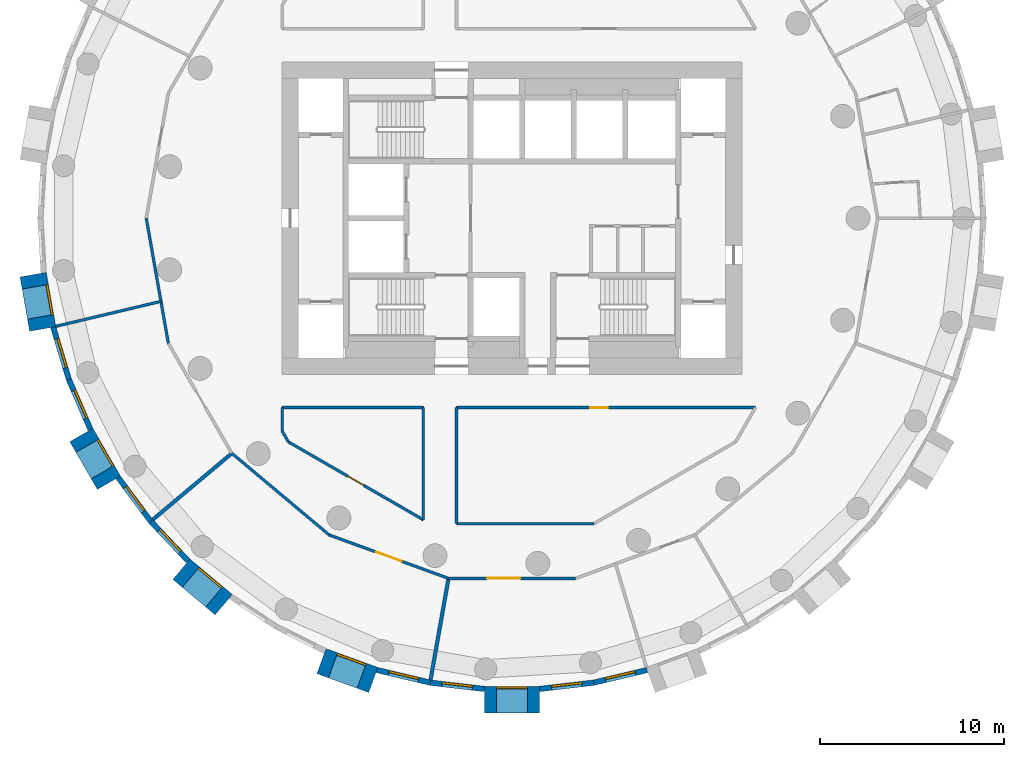
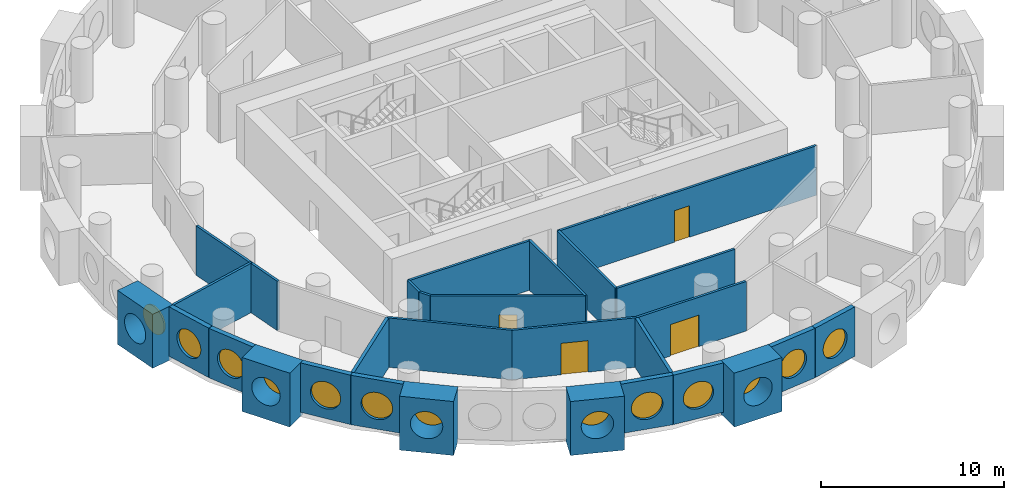
# One storey, part 2 of 9: 28 walls, 13 windows, 4 doors, 17 openings.
"""IFC4 building model written with IfcOpenShell, lengths in metres."""

import ifcopenshell
import ifcopenshell.guid

model = None  # the IFC model being written
_history = None  # IfcOwnerHistory: only IFC2X3 demands one
_inside = {}  # id of a spatial element -> (the spatial element, [elements in it])
_under = {}  # id of a project, library or spatial element -> (it, [spatial elements below it])
_declared = {}  # id of a project -> (the project, [libraries it declares])
_typed = {}  # id of a type object -> (the type object, [elements of that type])
_made_of = {}  # id of a material, layer set ... -> (it, [elements and type objects made of it])


def new_model(schema):
    """Start an empty IFC model of exactly this schema.

    Asked for "IFC4X3", IfcOpenShell would pick the latest addendum, in which some entities
    have other attributes; the version numbers below select the first issue.
    IFC2X3 requires an IfcOwnerHistory on every rooted entity: one is made here for all.
    """
    global model, _history
    if schema == "IFC4X3":
        model = ifcopenshell.file(schema_version=(4, 3, 0, 0))
    else:
        model = ifcopenshell.file(schema=schema)
    _inside.clear()
    _under.clear()
    _declared.clear()
    _typed.clear()
    _made_of.clear()
    _history = None
    if model.schema == "IFC2X3":
        org = make("IfcOrganization", Name="unknown")
        user = make(
            "IfcPersonAndOrganization",
            ThePerson=make("IfcPerson", FamilyName="unknown"),
            TheOrganization=org,
        )
        app = make(
            "IfcApplication",
            ApplicationDeveloper=org,
            Version="unknown",
            ApplicationFullName="unknown",
            ApplicationIdentifier="unknown",
        )
        _history = make(
            "IfcOwnerHistory",
            OwningUser=user,
            OwningApplication=app,
            ChangeAction="ADDED",
            CreationDate=0,
        )
    return model


def make(cls, **values):
    """One entity of the class cls with the attributes given. An attribute that is None is left unset."""
    return model.create_entity(
        cls, **{name: value for name, value in values.items() if value is not None}
    )


def rooted(cls, **values):
    """An entity with a GlobalId (a new one), such as an element, a storey or a relation."""
    return make(cls, GlobalId=ifcopenshell.guid.new(), OwnerHistory=_history, **values)


def si_unit(unit_type, name, prefix=None):
    """IfcSIUnit, for example si_unit("LENGTHUNIT", "METRE", prefix="MILLI")."""
    return make("IfcSIUnit", UnitType=unit_type, Prefix=prefix, Name=name)


def assignment(units):
    """IfcUnitAssignment: the units of a project."""
    return None if units is None else make("IfcUnitAssignment", Units=units)


def point(xyz):
    """IfcCartesianPoint."""
    return None if xyz is None else make("IfcCartesianPoint", Coordinates=xyz)


def direction(xyz):
    """IfcDirection."""
    return None if xyz is None else make("IfcDirection", DirectionRatios=xyz)


def frame(location, z_axis=None, x_axis=None):
    """IfcAxis2Placement3D, a coordinate frame: its origin and axes. An axis left out is left unset."""
    return make(
        "IfcAxis2Placement3D",
        Location=point(location),
        Axis=direction(z_axis),
        RefDirection=direction(x_axis),
    )


def frame_2d(location, x_axis=None):
    """IfcAxis2Placement2D, a coordinate frame in the plane: its origin and x axis."""
    return make(
        "IfcAxis2Placement2D", Location=point(location), RefDirection=direction(x_axis)
    )


def origin():
    """The frame at (0, 0, 0) with its axes left unset."""
    return frame((0.0, 0.0, 0.0))


def origin_2d():
    """The frame at (0, 0) in the plane with its x axis left unset."""
    return frame_2d((0.0, 0.0))


def place(relative_to, where):
    """IfcLocalPlacement: puts the frame where relative to a parent placement (None: the world)."""
    return make(
        "IfcLocalPlacement", PlacementRelTo=relative_to, RelativePlacement=where
    )


def context(
    kind, dimensions, precision=None, world=None, true_north=None, identifier=None
):
    """IfcGeometricRepresentationContext, for example the 3D "Model" context."""
    return make(
        "IfcGeometricRepresentationContext",
        ContextIdentifier=identifier,
        ContextType=kind,
        CoordinateSpaceDimension=dimensions,
        Precision=precision,
        WorldCoordinateSystem=world,
        TrueNorth=true_north,
    )


def subcontext(parent, identifier, kind, view, scale=None):
    """IfcGeometricRepresentationSubContext, for example "Body" below "Model"."""
    return make(
        "IfcGeometricRepresentationSubContext",
        ContextIdentifier=identifier,
        ContextType=kind,
        ParentContext=parent,
        TargetScale=scale,
        TargetView=view,
    )


def project(units=None, contexts=None):
    """IfcProject with its units and contexts."""
    return rooted(
        "IfcProject",
        Name="project",
        RepresentationContexts=contexts,
        UnitsInContext=assignment(units),
    )


def spatial(cls, under=None, at=None, **own):
    """A site, building, storey or space (cls), placed at a placement, below another one or the project."""
    s = rooted(cls, ObjectPlacement=at, **own)
    if under is not None:
        _under.setdefault(under.id(), (under, []))[1].append(s)
    return s


def profile(cls, at=None, kind="AREA", **sizes):
    """A parametric profile (cls). Its sizes go by their IFC names, for example OverallWidth=200.0."""
    return make(cls, ProfileType=kind, Position=at, **sizes)


def rectangle(**sizes):
    """IfcRectangleProfileDef."""
    return profile("IfcRectangleProfileDef", **sizes)


def circle(**sizes):
    """IfcCircleProfileDef."""
    return profile("IfcCircleProfileDef", **sizes)


def extrude(swept, where, along, depth):
    """IfcExtrudedAreaSolid: the profile swept, set in the frame where, extruded along a direction by depth."""
    return make(
        "IfcExtrudedAreaSolid",
        SweptArea=swept,
        Position=where,
        ExtrudedDirection=direction(along),
        Depth=depth,
    )


def shape(context_of_items, identifier, shape_type, items):
    """IfcShapeRepresentation: the items that make up one representation, for example the "Body"."""
    return make(
        "IfcShapeRepresentation",
        ContextOfItems=context_of_items,
        RepresentationIdentifier=identifier,
        RepresentationType=shape_type,
        Items=items,
    )


def material(Name=None, Category=None):
    """IfcMaterial."""
    return make("IfcMaterial", Name=Name, Category=Category)


def layer(
    of_material, thickness, ventilated=None, Name=None, Category=None, Priority=None
):
    """IfcMaterialLayer: one layer of a wall or slab, of a material (None: an air gap)."""
    return make(
        "IfcMaterialLayer",
        Material=of_material,
        LayerThickness=thickness,
        IsVentilated=ventilated,
        Name=Name,
        Category=Category,
        Priority=Priority,
    )


def layer_set(layers, Name=None):
    """IfcMaterialLayerSet."""
    return make("IfcMaterialLayerSet", MaterialLayers=layers, LayerSetName=Name)


def made_of(thing, what):
    """Note that an element or type object is made of a material, layer set ...; save() writes the relation."""
    if what is not None:
        _made_of.setdefault(what.id(), (what, []))[1].append(thing)
    return thing


def type_object(cls, material=None, **own):
    """A type object (cls), such as IfcWallType, which elements share."""
    return made_of(rooted(cls, **own), material)


def element(
    cls,
    number,
    at=None,
    inside=None,
    cuts=None,
    type_object=None,
    material=None,
    context=None,
    identifier="Body",
    shape_type=None,
    held_by="IfcProductDefinitionShape",
    body=None,
    shapes=None,
    **own,
):
    """One element of the class cls, such as IfcWall. Its Tag is "e" and its number.

    at: its placement. inside: the storey or other place that contains it. cuts: it is an
    opening in that element (IfcRelVoidsElement). A single representation is given by context,
    identifier, shape_type and body (its items); several are given by shapes. held_by: the class
    of the entity that holds the representations. save() writes the other relations.
    """
    e = rooted(cls, Tag="e%d" % number, ObjectPlacement=at, **own)
    if body is not None:
        shapes = [shape(context, identifier, shape_type, body)]
    if shapes is not None:
        e.Representation = make(held_by, Representations=shapes)
    if inside is not None:
        _inside.setdefault(inside.id(), (inside, []))[1].append(e)
    if cuts is not None:
        rooted(
            "IfcRelVoidsElement", RelatingBuildingElement=cuts, RelatedOpeningElement=e
        )
    if type_object is not None:
        _typed.setdefault(type_object.id(), (type_object, []))[1].append(e)
    return made_of(e, material)


def fill(opening, filler):
    """IfcRelFillsElement: the door or window that sits in an opening."""
    return rooted(
        "IfcRelFillsElement",
        RelatingOpeningElement=opening,
        RelatedBuildingElement=filler,
    )


def aggregate(whole, parts):
    """IfcRelAggregates: a whole, such as a stair, and the parts it consists of."""
    return rooted("IfcRelAggregates", RelatingObject=whole, RelatedObjects=parts)


def save(model, path):
    """Write the relations noted so far, then the file.

    IfcRelAggregates (storeys below a building ...), IfcRelContainedInSpatialStructure (elements
    in a storey), IfcRelDefinesByType, IfcRelAssociatesMaterial and IfcRelDeclares: one each for
    every whole, place, type object, material and project.
    """
    for whole, parts in _under.values():
        aggregate(whole, parts)
    for where, things in _inside.values():
        rooted(
            "IfcRelContainedInSpatialStructure",
            RelatedElements=things,
            RelatingStructure=where,
        )
    for kind, things in _typed.values():
        rooted("IfcRelDefinesByType", RelatedObjects=things, RelatingType=kind)
    for what, things in _made_of.values():
        rooted("IfcRelAssociatesMaterial", RelatedObjects=things, RelatingMaterial=what)
    for by, libraries in _declared.values():
        rooted("IfcRelDeclares", RelatingContext=by, RelatedDefinitions=libraries)
    model.write(path)


model = new_model("IFC4")

# Units and contexts
model_context = context("Model", 3, precision=1e-05, world=origin(), true_north=direction((0.0, 1.0)))
body_context = subcontext(model_context, "Body", "Model", "MODEL_VIEW")
ifc_project = project(units=[si_unit("LENGTHUNIT", "METRE"), si_unit("AREAUNIT", "SQUARE_METRE"), si_unit("VOLUMEUNIT", "CUBIC_METRE"), si_unit("PLANEANGLEUNIT", "RADIAN"), si_unit("MASSUNIT", "GRAM", prefix="KILO")], contexts=[model_context])

# Site, building, storey
site_placement = place(None, origin())
site = spatial("IfcSite", under=ifc_project, at=site_placement, CompositionType="ELEMENT")
building_placement = place(site_placement, origin())
building = spatial("IfcBuilding", under=site, at=building_placement, Name="Tracery Tower", CompositionType="ELEMENT")
storey_placement = place(building_placement, frame((0.0, 0.0, 165.60009765625)))
storey = spatial("IfcBuildingStorey", under=building, at=storey_placement, Name="L42", CompositionType="ELEMENT", Elevation=165.60009765625)

# Wall, opening, window
ifc_material_1 = material(Name="Precast concrete C50/60", Category="concrete")
ifc_layer_1 = layer(ifc_material_1, 1.449951171875)
ifc_layer_set_1 = layer_set([ifc_layer_1], Name="Deep-set bay unit 3000 x 3600, slab edge 300")
wall_type_1 = type_object("IfcWallType", Name="Deep-set bay unit 3000 x 3600, slab edge 300", PredefinedType="ELEMENTEDWALL", material=ifc_layer_set_1)
wall_1_placement = place(storey_placement, frame((-26.041748046875, -3.06884765625, -0.300048828125), z_axis=(0.0, 0.0, 1.0), x_axis=(0.173669267716, -0.984804034035, 0.0)))
wall_1 = element("IfcWall", 1, at=wall_1_placement, inside=storey, type_object=wall_type_1, Name="Deep-set bay unit 29 at L42", PredefinedType="ELEMENTEDWALL", context=body_context, shape_type="SweptSolid", body=[
    extrude(rectangle(XDim=3.0, YDim=1.449951171875, at=frame_2d((1.5, 0.0))), origin(), (0.0, 0.0, 1.0), 3.599853515625),
])
opening_1_placement = place(wall_1_placement, frame((1.5, 0.0, 1.85009765625)))
opening_1 = element("IfcOpeningElement", 2, at=opening_1_placement, cuts=wall_1, Name="Opening WN1", PredefinedType="OPENING", context=body_context, shape_type="SweptSolid", body=[
    extrude(circle(Radius=0.9000244140625, at=origin_2d()), frame((0.0, 0.73486328125, 0.0), z_axis=(0.0, -1.0, 0.0), x_axis=(1.0, 0.0, 0.0)), (0.0, 0.0, 1.0), 1.469970703125),
])
ifc_material_2 = material(Name="Aluminium frame with tinted double glazing", Category="aluminium")
window_type = type_object("IfcWindowType", Name="Round window 1800", PartitioningType="SINGLE_PANEL", PredefinedType="WINDOW", material=ifc_material_2)
window_1_placement = place(opening_1_placement, origin())
window_1 = element("IfcWindow", 3, at=window_1_placement, inside=storey, type_object=window_type, Name="Round window 29 at L42", OverallHeight=1.800048828125, OverallWidth=1.800048828125, PartitioningType="SINGLE_PANEL", PredefinedType="WINDOW", context=body_context, shape_type="SweptSolid", body=[
    extrude(circle(Radius=0.9000244140625, at=origin_2d()), frame((0.0, 0.69482421875, 0.0), z_axis=(0.0, -1.0, 0.0), x_axis=(1.0, 0.0, 0.0)), (0.0, 0.0, 1.0), 0.10009765625),
])
fill(opening_1, window_1)

wall_2_placement = place(storey_placement, frame((-23.421630859375, -11.79052734375, -0.300048828125), z_axis=(0.0, 0.0, 1.0), x_axis=(0.499990139034, -0.866031096941, 0.0)))
wall_2 = element("IfcWall", 4, at=wall_2_placement, inside=storey, type_object=wall_type_1, Name="Deep-set bay unit 32 at L42", PredefinedType="ELEMENTEDWALL", context=body_context, shape_type="SweptSolid", body=[
    extrude(rectangle(XDim=3.0, YDim=1.449951171875, at=frame_2d((1.5, 0.0))), origin(), (0.0, 0.0, 1.0), 3.599853515625),
])
opening_2_placement = place(wall_2_placement, frame((1.5, 0.0, 1.85009765625)))
opening_2 = element("IfcOpeningElement", 5, at=opening_2_placement, cuts=wall_2, Name="Opening WN1", PredefinedType="OPENING", context=body_context, shape_type="SweptSolid", body=[
    extrude(circle(Radius=0.9000244140625, at=origin_2d()), frame((0.0, 0.73486328125, 0.0), z_axis=(0.0, -1.0, 0.0), x_axis=(1.0, 0.0, 0.0)), (0.0, 0.0, 1.0), 1.469970703125),
])
window_2_placement = place(opening_2_placement, origin())
window_2 = element("IfcWindow", 6, at=window_2_placement, inside=storey, type_object=window_type, Name="Round window 32 at L42", OverallHeight=1.800048828125, OverallWidth=1.800048828125, PartitioningType="SINGLE_PANEL", PredefinedType="WINDOW", context=body_context, shape_type="SweptSolid", body=[
    extrude(circle(Radius=0.9000244140625, at=origin_2d()), frame((0.0, 0.69482421875, 0.0), z_axis=(0.0, -1.0, 0.0), x_axis=(1.0, 0.0, 0.0)), (0.0, 0.0, 1.0), 0.10009765625),
])
fill(opening_2, window_2)

wall_3_placement = place(storey_placement, frame((-17.9765625, -19.090087890625, -0.300048828125), z_axis=(0.0, 0.0, 1.0), x_axis=(0.766022196139, -0.642814121673, 0.0)))
wall_3 = element("IfcWall", 7, at=wall_3_placement, inside=storey, type_object=wall_type_1, Name="Deep-set bay unit 35 at L42", PredefinedType="ELEMENTEDWALL", context=body_context, shape_type="SweptSolid", body=[
    extrude(rectangle(XDim=3.0, YDim=1.449951171875, at=frame_2d((1.5, 0.0))), origin(), (0.0, 0.0, 1.0), 3.599853515625),
])
opening_3_placement = place(wall_3_placement, frame((1.5, 0.0, 1.85009765625)))
opening_3 = element("IfcOpeningElement", 8, at=opening_3_placement, cuts=wall_3, Name="Opening WN1", PredefinedType="OPENING", context=body_context, shape_type="SweptSolid", body=[
    extrude(circle(Radius=0.9000244140625, at=origin_2d()), frame((0.0, 0.73486328125, 0.0), z_axis=(0.0, -1.0, 0.0), x_axis=(1.0, 0.0, 0.0)), (0.0, 0.0, 1.0), 1.469970703125),
])
window_3_placement = place(opening_3_placement, origin())
window_3 = element("IfcWindow", 9, at=window_3_placement, inside=storey, type_object=window_type, Name="Round window 35 at L42", OverallHeight=1.800048828125, OverallWidth=1.800048828125, PartitioningType="SINGLE_PANEL", PredefinedType="WINDOW", context=body_context, shape_type="SweptSolid", body=[
    extrude(circle(Radius=0.9000244140625, at=origin_2d()), frame((0.0, 0.69482421875, 0.0), z_axis=(0.0, -1.0, 0.0), x_axis=(1.0, 0.0, 0.0)), (0.0, 0.0, 1.0), 0.10009765625),
])
fill(opening_3, window_3)

wall_4_placement = place(storey_placement, frame((-10.36328125, -24.087158203125, -0.300048828125), z_axis=(0.0, 0.0, 1.0), x_axis=(0.939686455819, -0.342037080957, 0.0)))
wall_4 = element("IfcWall", 10, at=wall_4_placement, inside=storey, type_object=wall_type_1, Name="Deep-set bay unit 38 at L42", PredefinedType="ELEMENTEDWALL", context=body_context, shape_type="SweptSolid", body=[
    extrude(rectangle(XDim=3.0, YDim=1.449951171875, at=frame_2d((1.5, 0.0))), origin(), (0.0, 0.0, 1.0), 3.599853515625),
])
opening_4_placement = place(wall_4_placement, frame((1.5, 0.0, 1.85009765625)))
opening_4 = element("IfcOpeningElement", 11, at=opening_4_placement, cuts=wall_4, Name="Opening WN1", PredefinedType="OPENING", context=body_context, shape_type="SweptSolid", body=[
    extrude(circle(Radius=0.9000244140625, at=origin_2d()), frame((0.0, 0.73486328125, 0.0), z_axis=(0.0, -1.0, 0.0), x_axis=(1.0, 0.0, 0.0)), (0.0, 0.0, 1.0), 1.469970703125),
])
window_4_placement = place(opening_4_placement, origin())
window_4 = element("IfcWindow", 12, at=window_4_placement, inside=storey, type_object=window_type, Name="Round window 38 at L42", OverallHeight=1.800048828125, OverallWidth=1.800048828125, PartitioningType="SINGLE_PANEL", PredefinedType="WINDOW", context=body_context, shape_type="SweptSolid", body=[
    extrude(circle(Radius=0.9000244140625, at=origin_2d()), frame((0.0, 0.69482421875, 0.0), z_axis=(0.0, -1.0, 0.0), x_axis=(1.0, 0.0, 0.0)), (0.0, 0.0, 1.0), 0.10009765625),
])
fill(opening_4, window_4)

wall_5_placement = place(storey_placement, frame((-1.5, -26.178955078125, -0.300048828125), z_axis=(0.0, 0.0, 1.0), x_axis=(1.0, 0.0, 0.0)))
wall_5 = element("IfcWall", 13, at=wall_5_placement, inside=storey, type_object=wall_type_1, Name="Deep-set bay unit 41 at L42", PredefinedType="ELEMENTEDWALL", context=body_context, shape_type="SweptSolid", body=[
    extrude(rectangle(XDim=3.0, YDim=1.449951171875, at=frame_2d((1.5, 0.0))), origin(), (0.0, 0.0, 1.0), 3.599853515625),
])
opening_5_placement = place(wall_5_placement, frame((1.5, 0.0, 1.85009765625)))
opening_5 = element("IfcOpeningElement", 14, at=opening_5_placement, cuts=wall_5, Name="Opening WN1", PredefinedType="OPENING", context=body_context, shape_type="SweptSolid", body=[
    extrude(circle(Radius=0.9000244140625, at=origin_2d()), frame((0.0, 0.73486328125, 0.0), z_axis=(0.0, -1.0, 0.0), x_axis=(1.0, 0.0, 0.0)), (0.0, 0.0, 1.0), 1.469970703125),
])
window_5_placement = place(opening_5_placement, origin())
window_5 = element("IfcWindow", 15, at=window_5_placement, inside=storey, type_object=window_type, Name="Round window 41 at L42", OverallHeight=1.800048828125, OverallWidth=1.800048828125, PartitioningType="SINGLE_PANEL", PredefinedType="WINDOW", context=body_context, shape_type="SweptSolid", body=[
    extrude(circle(Radius=0.9000244140625, at=origin_2d()), frame((0.0, 0.69482421875, 0.0), z_axis=(0.0, -1.0, 0.0), x_axis=(1.0, 0.0, 0.0)), (0.0, 0.0, 1.0), 0.10009765625),
])
fill(opening_5, window_5)

ifc_material_3 = material(Name="Precast concrete C50/60", Category="concrete")
ifc_layer_2 = layer(ifc_material_3, 0.300048828125)
ifc_layer_set_2 = layer_set([ifc_layer_2], Name="Facade panel 3000 x 3300")
wall_type_2 = type_object("IfcWallType", Name="Facade panel 3000 x 3300", PredefinedType="SOLIDWALL", material=ifc_layer_set_2)
wall_6_placement = place(storey_placement, frame((-24.953369140625, -5.924072265625, 0.0), z_axis=(0.0, 0.0, 1.0), x_axis=(0.286782750849, -0.957995643944, 0.0)))
wall_6 = element("IfcWall", 16, at=wall_6_placement, inside=storey, type_object=wall_type_2, Name="Facade panel 30 at L42", PredefinedType="SOLIDWALL", context=body_context, shape_type="SweptSolid", body=[
    extrude(rectangle(XDim=2.97265625, YDim=0.300048828125, at=frame_2d((1.486328125, 0.0))), origin(), (0.0, 0.0, 1.0), 3.2998046875),
])
opening_6_placement = place(wall_6_placement, frame((1.486328125, 0.0, 1.5498046875)))
opening_6 = element("IfcOpeningElement", 17, at=opening_6_placement, cuts=wall_6, Name="Opening WN1", PredefinedType="OPENING", context=body_context, shape_type="SweptSolid", body=[
    extrude(circle(Radius=0.9000244140625, at=origin_2d()), frame((0.0, 0.159912109375, 0.0), z_axis=(0.0, -1.0, 0.0), x_axis=(1.0, 0.0, 0.0)), (0.0, 0.0, 1.0), 0.320068359375),
])
window_6_placement = place(opening_6_placement, origin())
window_6 = element("IfcWindow", 18, at=window_6_placement, inside=storey, type_object=window_type, Name="Round window 30 at L42", OverallHeight=1.800048828125, OverallWidth=1.800048828125, PartitioningType="SINGLE_PANEL", PredefinedType="WINDOW", context=body_context, shape_type="SweptSolid", body=[
    extrude(circle(Radius=0.9000244140625, at=origin_2d()), frame((0.0, 0.1201171875, 0.0), z_axis=(0.0, -1.0, 0.0), x_axis=(1.0, 0.0, 0.0)), (0.0, 0.0, 1.0), 0.10009765625),
])
fill(opening_6, window_6)

wall_7_placement = place(storey_placement, frame((-24.100830078125, -8.77197265625, 0.0), z_axis=(0.0, 0.0, 1.0), x_axis=(0.396148129016, -0.918186614952, 0.0)))
wall_7 = element("IfcWall", 19, at=wall_7_placement, inside=storey, type_object=wall_type_2, Name="Facade panel 31 at L42", PredefinedType="SOLIDWALL", context=body_context, shape_type="SweptSolid", body=[
    extrude(rectangle(XDim=2.972900390625, YDim=0.300048828125, at=frame_2d((1.486328125, 0.0))), origin(), (0.0, 0.0, 1.0), 3.2998046875),
])
opening_7_placement = place(wall_7_placement, frame((1.486328125, 0.0, 1.5498046875)))
opening_7 = element("IfcOpeningElement", 20, at=opening_7_placement, cuts=wall_7, Name="Opening WN1", PredefinedType="OPENING", context=body_context, shape_type="SweptSolid", body=[
    extrude(circle(Radius=0.9000244140625, at=origin_2d()), frame((0.0, 0.159912109375, 0.0), z_axis=(0.0, -1.0, 0.0), x_axis=(1.0, 0.0, 0.0)), (0.0, 0.0, 1.0), 0.320068359375),
])
window_7_placement = place(opening_7_placement, origin())
window_7 = element("IfcWindow", 21, at=window_7_placement, inside=storey, type_object=window_type, Name="Round window 31 at L42", OverallHeight=1.800048828125, OverallWidth=1.800048828125, PartitioningType="SINGLE_PANEL", PredefinedType="WINDOW", context=body_context, shape_type="SweptSolid", body=[
    extrude(circle(Radius=0.9000244140625, at=origin_2d()), frame((0.0, 0.1201171875, 0.0), z_axis=(0.0, -1.0, 0.0), x_axis=(1.0, 0.0, 0.0)), (0.0, 0.0, 1.0), 0.10009765625),
])
fill(opening_7, window_7)

wall_8_placement = place(storey_placement, frame((-21.42236328125, -14.101318359375, 0.0), z_axis=(0.0, 0.0, 1.0), x_axis=(0.597197580538, -0.80209416517, 0.0)))
wall_8 = element("IfcWall", 22, at=wall_8_placement, inside=storey, type_object=wall_type_2, Name="Facade panel 33 at L42", PredefinedType="SOLIDWALL", context=body_context, shape_type="SweptSolid", body=[
    extrude(rectangle(XDim=2.972900390625, YDim=0.300048828125, at=frame_2d((1.486328125, 0.0))), origin(), (0.0, 0.0, 1.0), 3.2998046875),
])
opening_8_placement = place(wall_8_placement, frame((1.486328125, 0.0, 1.5498046875)))
opening_8 = element("IfcOpeningElement", 23, at=opening_8_placement, cuts=wall_8, Name="Opening WN1", PredefinedType="OPENING", context=body_context, shape_type="SweptSolid", body=[
    extrude(circle(Radius=0.9000244140625, at=origin_2d()), frame((0.0, 0.159912109375, 0.0), z_axis=(0.0, -1.0, 0.0), x_axis=(1.0, 0.0, 0.0)), (0.0, 0.0, 1.0), 0.320068359375),
])
window_8_placement = place(opening_8_placement, origin())
window_8 = element("IfcWindow", 24, at=window_8_placement, inside=storey, type_object=window_type, Name="Round window 33 at L42", OverallHeight=1.800048828125, OverallWidth=1.800048828125, PartitioningType="SINGLE_PANEL", PredefinedType="WINDOW", context=body_context, shape_type="SweptSolid", body=[
    extrude(circle(Radius=0.9000244140625, at=origin_2d()), frame((0.0, 0.1201171875, 0.0), z_axis=(0.0, -1.0, 0.0), x_axis=(1.0, 0.0, 0.0)), (0.0, 0.0, 1.0), 0.10009765625),
])
fill(opening_8, window_8)

wall_9_placement = place(storey_placement, frame((-19.64697265625, -16.48583984375, 0.0), z_axis=(0.0, 0.0, 1.0), x_axis=(0.686235184166, -0.727379730273, 0.0)))
wall_9 = element("IfcWall", 25, at=wall_9_placement, inside=storey, type_object=wall_type_2, Name="Facade panel 34 at L42", PredefinedType="SOLIDWALL", context=body_context, shape_type="SweptSolid", body=[
    extrude(rectangle(XDim=2.972900390625, YDim=0.300048828125, at=frame_2d((1.486328125, 0.0))), origin(), (0.0, 0.0, 1.0), 3.2998046875),
])
opening_9_placement = place(wall_9_placement, frame((1.486328125, 0.0, 1.5498046875)))
opening_9 = element("IfcOpeningElement", 26, at=opening_9_placement, cuts=wall_9, Name="Opening WN1", PredefinedType="OPENING", context=body_context, shape_type="SweptSolid", body=[
    extrude(circle(Radius=0.9000244140625, at=origin_2d()), frame((0.0, 0.159912109375, 0.0), z_axis=(0.0, -1.0, 0.0), x_axis=(1.0, 0.0, 0.0)), (0.0, 0.0, 1.0), 0.320068359375),
])
window_9_placement = place(opening_9_placement, origin())
window_9 = element("IfcWindow", 27, at=window_9_placement, inside=storey, type_object=window_type, Name="Round window 34 at L42", OverallHeight=1.800048828125, OverallWidth=1.800048828125, PartitioningType="SINGLE_PANEL", PredefinedType="WINDOW", context=body_context, shape_type="SweptSolid", body=[
    extrude(circle(Radius=0.9000244140625, at=origin_2d()), frame((0.0, 0.1201171875, 0.0), z_axis=(0.0, -1.0, 0.0), x_axis=(1.0, 0.0, 0.0)), (0.0, 0.0, 1.0), 0.10009765625),
])
fill(opening_9, window_9)

wall_10_placement = place(storey_placement, frame((-7.346435546875, -24.572265625, 0.0), z_axis=(0.0, 0.0, 1.0), x_axis=(0.973049746156, -0.230595298102, 0.0)))
wall_10 = element("IfcWall", 28, at=wall_10_placement, inside=storey, type_object=wall_type_2, Name="Facade panel 39 at L42", PredefinedType="SOLIDWALL", context=body_context, shape_type="SweptSolid", body=[
    extrude(rectangle(XDim=2.972900390625, YDim=0.300048828125, at=frame_2d((1.486328125, 0.0))), origin(), (0.0, 0.0, 1.0), 3.2998046875),
])
opening_10_placement = place(wall_10_placement, frame((1.486328125, 0.0, 1.5498046875)))
opening_10 = element("IfcOpeningElement", 29, at=opening_10_placement, cuts=wall_10, Name="Opening WN1", PredefinedType="OPENING", context=body_context, shape_type="SweptSolid", body=[
    extrude(circle(Radius=0.9000244140625, at=origin_2d()), frame((0.0, 0.159912109375, 0.0), z_axis=(0.0, -1.0, 0.0), x_axis=(1.0, 0.0, 0.0)), (0.0, 0.0, 1.0), 0.320068359375),
])
window_10_placement = place(opening_10_placement, origin())
window_10 = element("IfcWindow", 30, at=window_10_placement, inside=storey, type_object=window_type, Name="Round window 39 at L42", OverallHeight=1.800048828125, OverallWidth=1.800048828125, PartitioningType="SINGLE_PANEL", PredefinedType="WINDOW", context=body_context, shape_type="SweptSolid", body=[
    extrude(circle(Radius=0.9000244140625, at=origin_2d()), frame((0.0, 0.1201171875, 0.0), z_axis=(0.0, -1.0, 0.0), x_axis=(1.0, 0.0, 0.0)), (0.0, 0.0, 1.0), 0.10009765625),
])
fill(opening_10, window_10)

wall_11_placement = place(storey_placement, frame((-4.45361328125, -25.2578125, 0.0), z_axis=(0.0, 0.0, 1.0), x_axis=(0.993235542767, -0.116116995244, 0.0)))
wall_11 = element("IfcWall", 31, at=wall_11_placement, inside=storey, type_object=wall_type_2, Name="Facade panel 40 at L42", PredefinedType="SOLIDWALL", context=body_context, shape_type="SweptSolid", body=[
    extrude(rectangle(XDim=2.972900390625, YDim=0.300048828125, at=frame_2d((1.486328125, 0.0))), origin(), (0.0, 0.0, 1.0), 3.2998046875),
])
opening_11_placement = place(wall_11_placement, frame((1.486328125, 0.0, 1.5498046875)))
opening_11 = element("IfcOpeningElement", 32, at=opening_11_placement, cuts=wall_11, Name="Opening WN1", PredefinedType="OPENING", context=body_context, shape_type="SweptSolid", body=[
    extrude(circle(Radius=0.9000244140625, at=origin_2d()), frame((0.0, 0.159912109375, 0.0), z_axis=(0.0, -1.0, 0.0), x_axis=(1.0, 0.0, 0.0)), (0.0, 0.0, 1.0), 0.320068359375),
])
window_11_placement = place(opening_11_placement, origin())
window_11 = element("IfcWindow", 33, at=window_11_placement, inside=storey, type_object=window_type, Name="Round window 40 at L42", OverallHeight=1.800048828125, OverallWidth=1.800048828125, PartitioningType="SINGLE_PANEL", PredefinedType="WINDOW", context=body_context, shape_type="SweptSolid", body=[
    extrude(circle(Radius=0.9000244140625, at=origin_2d()), frame((0.0, 0.1201171875, 0.0), z_axis=(0.0, -1.0, 0.0), x_axis=(1.0, 0.0, 0.0)), (0.0, 0.0, 1.0), 0.10009765625),
])
fill(opening_11, window_11)

wall_12_placement = place(storey_placement, frame((1.500732421875, -25.60302734375, 0.0), z_axis=(0.0, 0.0, 1.0), x_axis=(0.993235542767, 0.116116995244, 0.0)))
wall_12 = element("IfcWall", 34, at=wall_12_placement, inside=storey, type_object=wall_type_2, Name="Facade panel 42 at L42", PredefinedType="SOLIDWALL", context=body_context, shape_type="SweptSolid", body=[
    extrude(rectangle(XDim=2.972900390625, YDim=0.300048828125, at=frame_2d((1.486328125, 0.0))), origin(), (0.0, 0.0, 1.0), 3.2998046875),
])
opening_12_placement = place(wall_12_placement, frame((1.486328125, 0.0, 1.5498046875)))
opening_12 = element("IfcOpeningElement", 35, at=opening_12_placement, cuts=wall_12, Name="Opening WN1", PredefinedType="OPENING", context=body_context, shape_type="SweptSolid", body=[
    extrude(circle(Radius=0.9000244140625, at=origin_2d()), frame((0.0, 0.159912109375, 0.0), z_axis=(0.0, -1.0, 0.0), x_axis=(1.0, 0.0, 0.0)), (0.0, 0.0, 1.0), 0.320068359375),
])
window_12_placement = place(opening_12_placement, origin())
window_12 = element("IfcWindow", 36, at=window_12_placement, inside=storey, type_object=window_type, Name="Round window 42 at L42", OverallHeight=1.800048828125, OverallWidth=1.800048828125, PartitioningType="SINGLE_PANEL", PredefinedType="WINDOW", context=body_context, shape_type="SweptSolid", body=[
    extrude(circle(Radius=0.9000244140625, at=origin_2d()), frame((0.0, 0.1201171875, 0.0), z_axis=(0.0, -1.0, 0.0), x_axis=(1.0, 0.0, 0.0)), (0.0, 0.0, 1.0), 0.10009765625),
])
fill(opening_12, window_12)

wall_13_placement = place(storey_placement, frame((4.45361328125, -25.2578125, 0.0), z_axis=(0.0, 0.0, 1.0), x_axis=(0.973049746156, 0.230595298102, 0.0)))
wall_13 = element("IfcWall", 37, at=wall_13_placement, inside=storey, type_object=wall_type_2, Name="Facade panel 43 at L42", PredefinedType="SOLIDWALL", context=body_context, shape_type="SweptSolid", body=[
    extrude(rectangle(XDim=2.972900390625, YDim=0.300048828125, at=frame_2d((1.486328125, 0.0))), origin(), (0.0, 0.0, 1.0), 3.2998046875),
])
opening_13_placement = place(wall_13_placement, frame((1.486328125, 0.0, 1.5498046875)))
opening_13 = element("IfcOpeningElement", 38, at=opening_13_placement, cuts=wall_13, Name="Opening WN1", PredefinedType="OPENING", context=body_context, shape_type="SweptSolid", body=[
    extrude(circle(Radius=0.9000244140625, at=origin_2d()), frame((0.0, 0.159912109375, 0.0), z_axis=(0.0, -1.0, 0.0), x_axis=(1.0, 0.0, 0.0)), (0.0, 0.0, 1.0), 0.320068359375),
])
window_13_placement = place(opening_13_placement, origin())
window_13 = element("IfcWindow", 39, at=window_13_placement, inside=storey, type_object=window_type, Name="Round window 43 at L42", OverallHeight=1.800048828125, OverallWidth=1.800048828125, PartitioningType="SINGLE_PANEL", PredefinedType="WINDOW", context=body_context, shape_type="SweptSolid", body=[
    extrude(circle(Radius=0.9000244140625, at=origin_2d()), frame((0.0, 0.1201171875, 0.0), z_axis=(0.0, -1.0, 0.0), x_axis=(1.0, 0.0, 0.0)), (0.0, 0.0, 1.0), 0.10009765625),
])
fill(opening_13, window_13)

# Walls
ifc_material_4 = material(Name="Plasterboard on steel studs", Category="steel")
ifc_layer_3 = layer(ifc_material_4, 0.14990234375)
ifc_layer_set_3 = layer_set([ifc_layer_3], Name="Partition 150 acoustic unit wall")
wall_type_3 = type_object("IfcWallType", Name="Partition 150 acoustic unit wall", PredefinedType="PARTITIONING", material=ifc_layer_set_3)
wall_14_placement = place(storey_placement, frame((-24.81005859375, -5.8798828125, 0.0), z_axis=(0.0, 0.0, 1.0), x_axis=(0.973033452951, 0.230664040193, 0.0)))
element("IfcWall", 40, at=wall_14_placement, inside=storey, type_object=wall_type_3, Name="Unit wall RB4-070", PredefinedType="PARTITIONING", context=body_context, shape_type="SweptSolid", body=[
    extrude(rectangle(XDim=5.87841796875, YDim=0.14990234375, at=frame_2d((2.939208984375, 0.0))), origin(), (0.0, 0.0, 1.0), 3.2998046875),
])
ifc_material_5 = material(Name="Plasterboard on steel studs", Category="steel")
ifc_layer_4 = layer(ifc_material_5, 0.14990234375)
ifc_layer_set_4 = layer_set([ifc_layer_4], Name="Partition 150 corridor wall")
wall_type_4 = type_object("IfcWallType", Name="Partition 150 corridor wall", PredefinedType="PARTITIONING", material=ifc_layer_set_4)
wall_15_placement = place(storey_placement, frame((-12.50390625, -10.300048828125, 0.0), z_axis=(0.0, 0.0, 1.0), x_axis=(1.0, 0.0, 0.0)))
element("IfcWall", 41, at=wall_15_placement, inside=storey, type_object=wall_type_4, Name="Corridor wall RB4-003", PredefinedType="PARTITIONING", context=body_context, shape_type="SweptSolid", body=[
    extrude(rectangle(XDim=7.68701171875, YDim=0.14990234375, at=frame_2d((3.843505859375, 0.0))), origin(), (0.0, 0.0, 1.0), 3.2998046875),
])

# Wall, opening, door
wall_16_placement = place(storey_placement, frame((-3.02490234375, -10.300048828125, 0.0), z_axis=(0.0, 0.0, 1.0), x_axis=(1.0, 0.0, 0.0)))
wall_16 = element("IfcWall", 42, at=wall_16_placement, inside=storey, type_object=wall_type_4, Name="Corridor wall RB4-004", PredefinedType="PARTITIONING", context=body_context, shape_type="SweptSolid", body=[
    extrude(rectangle(XDim=16.261962890625, YDim=0.14990234375, at=frame_2d((8.130859375, 0.0))), origin(), (0.0, 0.0, 1.0), 3.2998046875),
])
opening_14_placement = place(wall_16_placement, frame((7.287109375, 0.0, 0.0)))
opening_14 = element("IfcOpeningElement", 43, at=opening_14_placement, cuts=wall_16, Name="Opening RB4-04", PredefinedType="OPENING", context=body_context, shape_type="SweptSolid", body=[
    extrude(rectangle(XDim=0.949951171875, YDim=2.10009765625, at=frame_2d((0.47509765625, 1.050048828125))), frame((0.0, 0.074951171875, 0.0), z_axis=(0.0, -1.0, 0.0), x_axis=(1.0, 0.0, 0.0)), (0.0, 0.0, 1.0), 0.14990234375),
])
ifc_material_6 = material(Name="Timber door leaf", Category="wood")
door_type_1 = type_object("IfcDoorType", Name="Door store 950", OperationType="NOTDEFINED", PredefinedType="DOOR", material=ifc_material_6)
door_1_placement = place(opening_14_placement, origin())
door_1 = element("IfcDoor", 44, at=door_1_placement, inside=storey, type_object=door_type_1, Name="Store door RB4-04", OperationType="SINGLE_SWING_RIGHT", OverallHeight=2.10009765625, OverallWidth=0.949951171875, PredefinedType="DOOR", context=body_context, shape_type="SweptSolid", body=[
    extrude(rectangle(XDim=0.949951171875, YDim=2.10009765625, at=frame_2d((0.47509765625, 1.050048828125))), frame((0.0, 0.02490234375, 0.0), z_axis=(0.0, -1.0, 0.0), x_axis=(1.0, 0.0, 0.0)), (0.0, 0.0, 1.0), 0.050048828125),
])
fill(opening_14, door_1)

# Walls
wall_17_placement = place(storey_placement, frame((-12.5, -11.576904296875, 0.0), z_axis=(0.0, 0.0, 1.0), x_axis=(0.0, 1.0, 0.0)))
element("IfcWall", 45, at=wall_17_placement, inside=storey, type_object=wall_type_4, Name="Corridor wall RB4-024", PredefinedType="PARTITIONING", context=body_context, shape_type="SweptSolid", body=[
    extrude(rectangle(XDim=1.27685546875, YDim=0.14990234375, at=frame_2d((0.638427734375, 0.0))), origin(), (0.0, 0.0, 1.0), 3.2998046875),
])
wall_18_placement = place(storey_placement, frame((-12.5, -11.576904296875, 0.0), z_axis=(0.0, 0.0, 1.0), x_axis=(0.500024767483, -0.866011103799, 0.0)))
element("IfcWall", 46, at=wall_18_placement, inside=storey, type_object=wall_type_4, Name="Corridor wall RB4-025", PredefinedType="PARTITIONING", context=body_context, shape_type="SweptSolid", body=[
    extrude(rectangle(XDim=0.67578125, YDim=0.14990234375, at=frame_2d((0.337890625, 0.0))), origin(), (0.0, 0.0, 1.0), 3.2998046875),
])
wall_19_placement = place(storey_placement, frame((-19.887939453125, 0.0, 0.0), z_axis=(0.0, 0.0, 1.0), x_axis=(0.173763153374, -0.984787472772, 0.0)))
element("IfcWall", 47, at=wall_19_placement, inside=storey, type_object=wall_type_4, Name="Corridor wall RB4-027", PredefinedType="PARTITIONING", context=body_context, shape_type="SweptSolid", body=[
    extrude(rectangle(XDim=6.906982421875, YDim=0.14990234375, at=frame_2d((3.45361328125, 0.0))), origin(), (0.0, 0.0, 1.0), 3.2998046875),
])
wall_20_placement = place(storey_placement, frame((-15.235107421875, -12.783935546875, 0.0), z_axis=(0.0, 0.0, 1.0), x_axis=(0.766192104565, -0.642611592567, 0.0)))
element("IfcWall", 48, at=wall_20_placement, inside=storey, type_object=wall_type_4, Name="Corridor wall RB4-030", PredefinedType="PARTITIONING", context=body_context, shape_type="SweptSolid", body=[
    extrude(rectangle(XDim=6.906494140625, YDim=0.14990234375, at=frame_2d((3.453125, 0.0))), origin(), (0.0, 0.0, 1.0), 3.2998046875),
])

# Wall, opening, door
wall_21_placement = place(storey_placement, frame((-12.162109375, -12.162109375, 0.0), z_axis=(0.0, 0.0, 1.0), x_axis=(0.866004766557, -0.500035743023, 0.0)))
wall_21 = element("IfcWall", 49, at=wall_21_placement, inside=storey, type_object=wall_type_4, Name="Corridor wall RB4-031", PredefinedType="PARTITIONING", context=body_context, shape_type="SweptSolid", body=[
    extrude(rectangle(XDim=8.47705078125, YDim=0.14990234375, at=frame_2d((4.238525390625, 0.0))), origin(), (0.0, 0.0, 1.0), 3.2998046875),
])
opening_15_placement = place(wall_21_placement, frame((3.738037109375, 0.0, 0.0)))
opening_15 = element("IfcOpeningElement", 50, at=opening_15_placement, cuts=wall_21, Name="Opening RB4-03", PredefinedType="OPENING", context=body_context, shape_type="SweptSolid", body=[
    extrude(rectangle(XDim=1.0, YDim=2.0400390625, at=frame_2d((0.5, 1.02001953125))), frame((0.0, 0.074951171875, 0.0), z_axis=(0.0, -1.0, 0.0), x_axis=(1.0, 0.0, 0.0)), (0.0, 0.0, 1.0), 0.14990234375),
])
ifc_material_7 = material(Name="Timber door leaf", Category="wood")
door_type_2 = type_object("IfcDoorType", Name="Door communal room 1000", OperationType="NOTDEFINED", PredefinedType="DOOR", material=ifc_material_7)
door_2_placement = place(opening_15_placement, origin())
door_2 = element("IfcDoor", 51, at=door_2_placement, inside=storey, type_object=door_type_2, Name="Communal room door RB4-03", OperationType="SINGLE_SWING_LEFT", OverallHeight=2.0400390625, OverallWidth=1.0, PredefinedType="DOOR", context=body_context, shape_type="SweptSolid", body=[
    extrude(rectangle(XDim=1.0, YDim=2.0400390625, at=frame_2d((0.5, 1.02001953125))), frame((0.0, 0.02490234375, 0.0), z_axis=(0.0, -1.0, 0.0), x_axis=(1.0, 0.0, 0.0)), (0.0, 0.0, 1.0), 0.050048828125),
])
fill(opening_15, door_2)

# Walls
wall_22_placement = place(storey_placement, frame((-4.821044921875, -16.40087890625, 0.0), z_axis=(0.0, 0.0, 1.0), x_axis=(0.0, 1.0, 0.0)))
element("IfcWall", 52, at=wall_22_placement, inside=storey, type_object=wall_type_4, Name="Corridor wall RB4-032", PredefinedType="PARTITIONING", context=body_context, shape_type="SweptSolid", body=[
    extrude(rectangle(XDim=6.100830078125, YDim=0.14990234375, at=frame_2d((3.05029296875, 0.0))), origin(), (0.0, 0.0, 1.0), 3.2998046875),
])
wall_23_placement = place(storey_placement, frame((-3.02099609375, -16.614013671875, 0.0), z_axis=(0.0, 0.0, 1.0), x_axis=(0.0, 1.0, 0.0)))
element("IfcWall", 53, at=wall_23_placement, inside=storey, type_object=wall_type_4, Name="Corridor wall RB4-033", PredefinedType="PARTITIONING", context=body_context, shape_type="SweptSolid", body=[
    extrude(rectangle(XDim=6.31396484375, YDim=0.14990234375, at=frame_2d((3.156982421875, 0.0))), origin(), (0.0, 0.0, 1.0), 3.2998046875),
])
wall_24_placement = place(storey_placement, frame((-3.02099609375, -16.614013671875, 0.0), z_axis=(0.0, 0.0, 1.0), x_axis=(1.0, 0.0, 0.0)))
element("IfcWall", 54, at=wall_24_placement, inside=storey, type_object=wall_type_4, Name="Corridor wall RB4-034", PredefinedType="PARTITIONING", context=body_context, shape_type="SweptSolid", body=[
    extrude(rectangle(XDim=7.472900390625, YDim=0.14990234375, at=frame_2d((3.736328125, 0.0))), origin(), (0.0, 0.0, 1.0), 3.2998046875),
])

# Wall, opening, door
wall_25_placement = place(storey_placement, frame((-9.944091796875, -17.222900390625, 0.0), z_axis=(0.0, 0.0, 1.0), x_axis=(0.939672634566, -0.342075050021, 0.0)))
wall_25 = element("IfcWall", 55, at=wall_25_placement, inside=storey, type_object=wall_type_4, Name="Corridor wall RB4-036", PredefinedType="PARTITIONING", context=body_context, shape_type="SweptSolid", body=[
    extrude(rectangle(XDim=6.907958984375, YDim=0.14990234375, at=frame_2d((3.4541015625, 0.0))), origin(), (0.0, 0.0, 1.0), 3.2998046875),
])
opening_16_placement = place(wall_25_placement, frame((2.70361328125, 0.0, 0.0)))
opening_16 = element("IfcOpeningElement", 56, at=opening_16_placement, cuts=wall_25, Name="Opening RB4-25", PredefinedType="OPENING", context=body_context, shape_type="SweptSolid", body=[
    extrude(rectangle(XDim=1.5, YDim=2.10009765625, at=frame_2d((0.75, 1.050048828125))), frame((0.0, 0.074951171875, 0.0), z_axis=(0.0, -1.0, 0.0), x_axis=(1.0, 0.0, 0.0)), (0.0, 0.0, 1.0), 0.14990234375),
])
ifc_material_8 = material(Name="Timber door leaf", Category="wood")
door_type_3 = type_object("IfcDoorType", Name="Door double kitchen 1500", OperationType="NOTDEFINED", PredefinedType="DOOR", material=ifc_material_8)
door_3_placement = place(opening_16_placement, origin())
door_3 = element("IfcDoor", 57, at=door_3_placement, inside=storey, type_object=door_type_3, Name="Double kitchen door RB4-25", OperationType="DOUBLE_DOOR_SINGLE_SWING", OverallHeight=2.10009765625, OverallWidth=1.5, PredefinedType="DOOR", context=body_context, shape_type="SweptSolid", body=[
    extrude(rectangle(XDim=1.5, YDim=2.10009765625, at=frame_2d((0.75, 1.050048828125))), frame((0.0, 0.02490234375, 0.0), z_axis=(0.0, -1.0, 0.0), x_axis=(1.0, 0.0, 0.0)), (0.0, 0.0, 1.0), 0.050048828125),
])
fill(opening_16, door_3)

wall_26_placement = place(storey_placement, frame((-3.452880859375, -19.5859375, 0.0), z_axis=(0.0, 0.0, 1.0), x_axis=(1.0, 0.0, 0.0)))
wall_26 = element("IfcWall", 58, at=wall_26_placement, inside=storey, type_object=wall_type_4, Name="Corridor wall RB4-038", PredefinedType="PARTITIONING", context=body_context, shape_type="SweptSolid", body=[
    extrude(rectangle(XDim=6.90576171875, YDim=0.14990234375, at=frame_2d((3.452880859375, 0.0))), origin(), (0.0, 0.0, 1.0), 3.2998046875),
])
opening_17_placement = place(wall_26_placement, frame((2.10302734375, 0.0, 0.0)))
opening_17 = element("IfcOpeningElement", 59, at=opening_17_placement, cuts=wall_26, Name="Opening RB4-26", PredefinedType="OPENING", context=body_context, shape_type="SweptSolid", body=[
    extrude(rectangle(XDim=1.800048828125, YDim=2.10009765625, at=frame_2d((0.89990234375, 1.050048828125))), frame((0.0, 0.074951171875, 0.0), z_axis=(0.0, -1.0, 0.0), x_axis=(1.0, 0.0, 0.0)), (0.0, 0.0, 1.0), 0.14990234375),
])
ifc_material_9 = material(Name="Timber door leaf", Category="wood")
door_type_4 = type_object("IfcDoorType", Name="Door double lounge 1800", OperationType="NOTDEFINED", PredefinedType="DOOR", material=ifc_material_9)
door_4_placement = place(opening_17_placement, origin())
door_4 = element("IfcDoor", 60, at=door_4_placement, inside=storey, type_object=door_type_4, Name="Double lounge door RB4-26", OperationType="DOUBLE_DOOR_SINGLE_SWING", OverallHeight=2.10009765625, OverallWidth=1.800048828125, PredefinedType="DOOR", context=body_context, shape_type="SweptSolid", body=[
    extrude(rectangle(XDim=1.800048828125, YDim=2.10009765625, at=frame_2d((0.89990234375, 1.050048828125))), frame((0.0, 0.02490234375, 0.0), z_axis=(0.0, -1.0, 0.0), x_axis=(1.0, 0.0, 0.0)), (0.0, 0.0, 1.0), 0.050048828125),
])
fill(opening_17, door_4)

# Walls
ifc_material_10 = material(Name="Plasterboard on steel studs", Category="steel")
ifc_layer_5 = layer(ifc_material_10, 0.199951171875)
ifc_layer_set_5 = layer_set([ifc_layer_5], Name="Partition 200 compartment wall")
wall_type_5 = type_object("IfcWallType", Name="Partition 200 compartment wall", PredefinedType="PARTITIONING", material=ifc_layer_set_5)
wall_27_placement = place(storey_placement, frame((-19.531982421875, -16.388916015625, 0.0), z_axis=(0.0, 0.0, 1.0), x_axis=(0.76609059793, 0.642732600514, 0.0)))
element("IfcWall", 61, at=wall_27_placement, inside=storey, type_object=wall_type_5, Name="Compartment wall RB4-071", PredefinedType="PARTITIONING", context=body_context, shape_type="SweptSolid", body=[
    extrude(rectangle(XDim=5.60888671875, YDim=0.199951171875, at=frame_2d((2.804443359375, 0.0))), origin(), (0.0, 0.0, 1.0), 3.2998046875),
])
wall_28_placement = place(storey_placement, frame((-4.427978515625, -25.110107421875, 0.0), z_axis=(0.0, 0.0, 1.0), x_axis=(0.17382754149, 0.984776109489, 0.0)))
element("IfcWall", 62, at=wall_28_placement, inside=storey, type_object=wall_type_5, Name="Compartment wall RB4-072", PredefinedType="PARTITIONING", context=body_context, shape_type="SweptSolid", body=[
    extrude(rectangle(XDim=5.609619140625, YDim=0.199951171875, at=frame_2d((2.8046875, 0.0))), origin(), (0.0, 0.0, 1.0), 3.2998046875),
])

save(model, "model.ifc")
